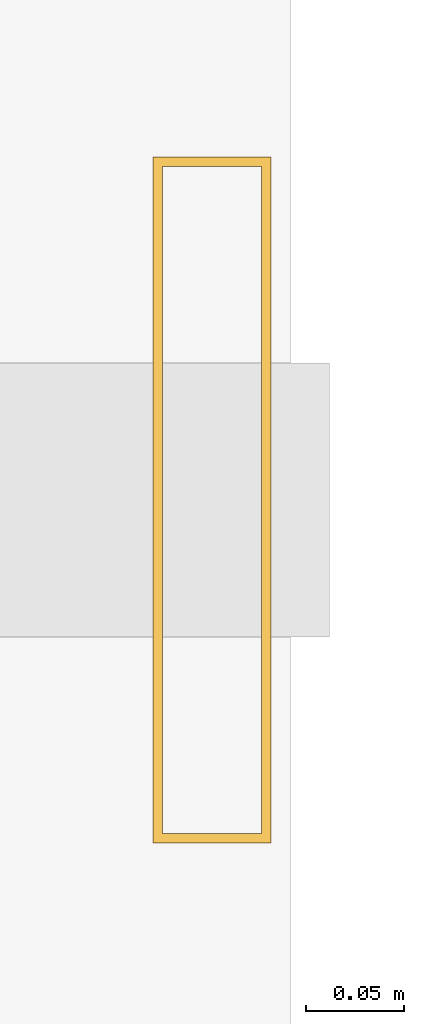
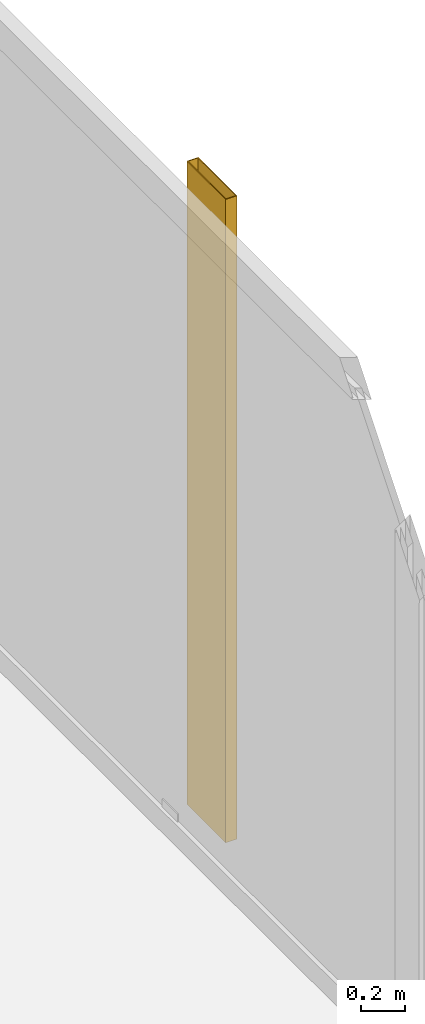
# One storey, part 28 of 28: 1 shading device.
"""IFC4 building model written with IfcOpenShell, lengths in metres."""

from ifc_helpers import new_model, si_unit, direction, frame, origin, origin_2d, place, context, subcontext, project, spatial, hollow_rectangle, extrude, material, material_profile, profile_set, type_object, element, save


model = new_model("IFC4")

# Units and contexts
model_context = context("Model", 3, precision=1e-05, world=origin(), true_north=direction((0.0, 1.0)))
body_context = subcontext(model_context, "Body", "Model", "MODEL_VIEW")
ifc_project = project(units=[si_unit("LENGTHUNIT", "METRE"), si_unit("AREAUNIT", "SQUARE_METRE"), si_unit("VOLUMEUNIT", "CUBIC_METRE"), si_unit("PLANEANGLEUNIT", "RADIAN"), si_unit("MASSUNIT", "GRAM", prefix="KILO")], contexts=[model_context])

# Site, building, storey
site_placement = place(None, origin())
site = spatial("IfcSite", under=ifc_project, at=site_placement, CompositionType="ELEMENT")
building_placement = place(site_placement, origin())
building = spatial("IfcBuilding", under=site, at=building_placement, Name="Kolvaren Waterfront Exchange", CompositionType="ELEMENT")
storey_placement = place(building_placement, frame((0.0, 0.0, 133.5)))
storey = spatial("IfcBuildingStorey", under=building, at=storey_placement, Name="L34", CompositionType="ELEMENT", Elevation=133.5)

# Shading device
ifc_material = material(Name="Anodised bronze aluminium 6063-T6", Category="aluminium")
ifc_material_profile = material_profile(ifc_material, hollow_rectangle(XDim=0.06005859375, YDim=0.35009765625, WallThickness=0.0048828125, at=origin_2d()), Name="BRZ-FIN-350x60x5")
ifc_profile_set = profile_set([ifc_material_profile], Name="Anodised bronze aluminium 6063-T6")
shading_device_type = type_object("IfcShadingDeviceType", Name="ARC-FIN-350", PredefinedType="USERDEFINED", material=ifc_profile_set)
shading_device_placement = place(storey_placement, frame((23.9599609375, 38.39990234375, 0.0), z_axis=(0.0, 0.0, 1.0), x_axis=(1.0, 0.0, 0.0)))
element("IfcShadingDevice", 1, at=shading_device_placement, inside=storey, type_object=shading_device_type, Name="L34 anodised bronze solar shading fin FIN-L34-E3", ObjectType="SOLAR FIN", PredefinedType="USERDEFINED", context=body_context, shape_type="SweptSolid", body=[
    extrude(hollow_rectangle(XDim=0.06005859375, YDim=0.35009765625, WallThickness=0.0048828125, at=origin_2d()), origin(), (0.0, 0.0, 1.0), 3.5400390625),
])

save(model, "model.ifc")
